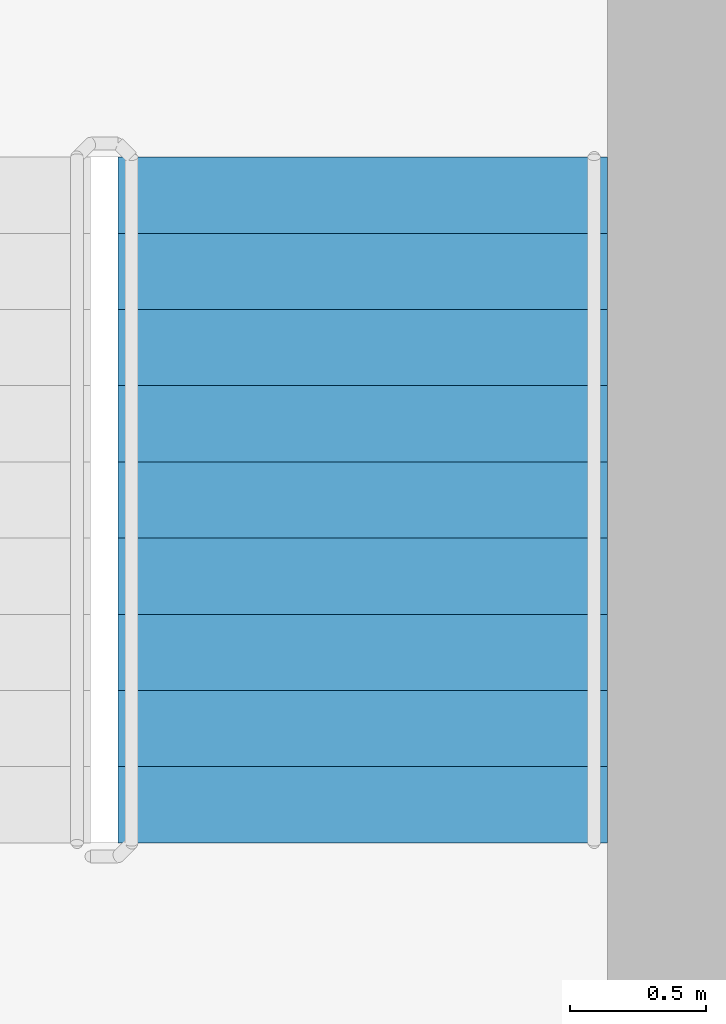
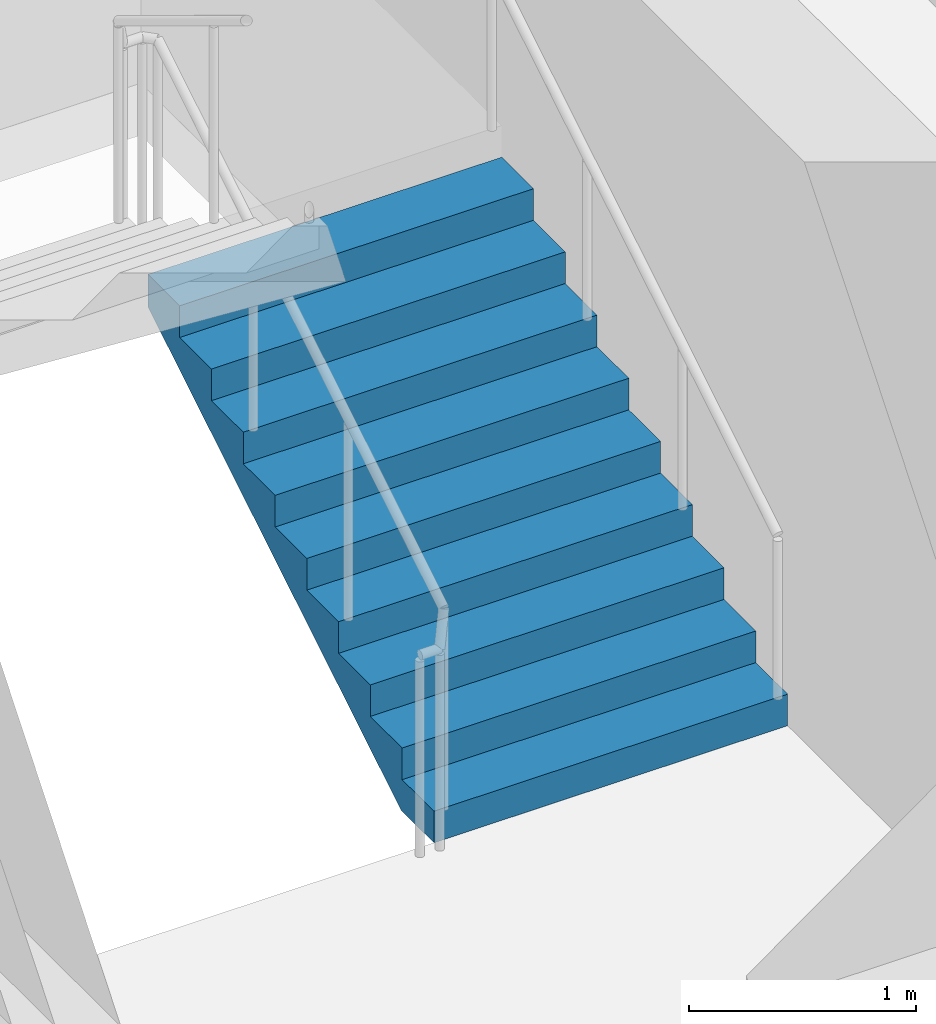
# One storey, part 11 of 18: 1 stair flight, 1 element without a shape of its own.
"""IFC4 building model written with IfcOpenShell, lengths in metres."""

from ifc_helpers import new_model, si_unit, direction, frame, origin, place, context, subcontext, project, spatial, triangles, source, transform, mapped, material, type_object, element, aggregate, save


model = new_model("IFC4")

# Units and contexts
model_context = context("Model", 3, precision=1e-05, world=origin(), true_north=direction((0.0, 1.0)))
body_context = subcontext(model_context, "Body", "Model", "MODEL_VIEW")
ifc_project = project(units=[si_unit("LENGTHUNIT", "METRE"), si_unit("AREAUNIT", "SQUARE_METRE"), si_unit("VOLUMEUNIT", "CUBIC_METRE"), si_unit("PLANEANGLEUNIT", "RADIAN"), si_unit("MASSUNIT", "GRAM", prefix="KILO")], contexts=[model_context])

# Site, building, storey
site_placement = place(None, origin())
site = spatial("IfcSite", under=ifc_project, at=site_placement, CompositionType="ELEMENT")
building_placement = place(site_placement, origin())
building = spatial("IfcBuilding", under=site, at=building_placement, Name="Kilnfold Tower and Market Hall", CompositionType="ELEMENT")
storey_placement = place(building_placement, frame((0.0, 0.0, 270.39990234375)))
storey = spatial("IfcBuildingStorey", under=building, at=storey_placement, Name="L66", CompositionType="ELEMENT", Elevation=270.39990234375)

# Stair, stair flight
ifc_material_1 = material(Name="Concrete C40/50", Category="concrete")
stair_type = type_object("IfcStairType", Name="CORE STAIR 1800", PredefinedType="HALF_TURN_STAIR", material=ifc_material_1)
stair_placement = place(storey_placement, origin())
stair = element("IfcStair", 1, at=stair_placement, inside=storey, type_object=stair_type, Name="L66 ST2", PredefinedType="HALF_TURN_STAIR")
ifc_material_2 = material(Name="Concrete C40/50", Category="concrete")
stair_flight_type = type_object("IfcStairFlightType", Name="CORE STAIR FLIGHT 1800", PredefinedType="STRAIGHT", material=ifc_material_2)
shared_shape = source(origin(), body_context, "Body", "Tessellation", [
    triangles([(0.0, 0.89990234375, 0.0), (0.0, 0.78759765625, 0.0), (0.0, 0.675048828125, 0.0), (0.0, 0.5625, 0.0), (0.0, 0.449951171875, 0.0), (0.0, 0.33740234375, 0.0), (0.0, 0.22509765625, 0.0), (0.0, 0.112548828125, 0.0), (0.0, 0.0, 0.0), (0.0, -0.112548828125, 0.0), (0.0, -0.22509765625, 0.0), (0.0, -0.33740234375, 0.0), (0.0, -0.449951171875, 0.0), (0.0, -0.5625, 0.0), (0.0, -0.675048828125, 0.0), (0.0, -0.78759765625, 0.0), (0.0, -0.89990234375, 0.0), (0.0, 0.89990234375, 0.169921875), (0.0, 0.78759765625, 0.169921875), (0.0, 0.675048828125, 0.169921875), (0.0, 0.5625, 0.169921875), (0.0, 0.449951171875, 0.169921875), (0.0, 0.33740234375, 0.169921875), (0.0, 0.22509765625, 0.169921875), (0.0, 0.112548828125, 0.169921875), (0.0, 0.0, 0.169921875), (0.0, -0.112548828125, 0.169921875), (0.0, -0.22509765625, 0.169921875), (0.0, -0.33740234375, 0.169921875), (0.0, -0.449951171875, 0.169921875), (0.0, -0.5625, 0.169921875), (0.0, -0.675048828125, 0.169921875), (0.0, -0.78759765625, 0.169921875), (0.0, -0.89990234375, 0.169921875), (0.280029296875, 0.89990234375, 0.169921875), (0.280029296875, 0.78759765625, 0.169921875), (0.280029296875, 0.675048828125, 0.169921875), (0.280029296875, 0.5625, 0.169921875), (0.280029296875, 0.449951171875, 0.169921875), (0.280029296875, 0.33740234375, 0.169921875), (0.280029296875, 0.22509765625, 0.169921875), (0.280029296875, 0.112548828125, 0.169921875), (0.280029296875, 0.0, 0.169921875), (0.280029296875, -0.112548828125, 0.169921875), (0.280029296875, -0.22509765625, 0.169921875), (0.280029296875, -0.33740234375, 0.169921875), (0.280029296875, -0.449951171875, 0.169921875), (0.280029296875, -0.5625, 0.169921875), (0.280029296875, -0.675048828125, 0.169921875), (0.280029296875, -0.78759765625, 0.169921875), (0.280029296875, -0.89990234375, 0.169921875), (0.280029296875, 0.89990234375, 0.340087890625), (0.280029296875, 0.78759765625, 0.340087890625), (0.280029296875, 0.675048828125, 0.340087890625), (0.280029296875, 0.5625, 0.340087890625), (0.280029296875, 0.449951171875, 0.340087890625), (0.280029296875, 0.33740234375, 0.340087890625), (0.280029296875, 0.22509765625, 0.340087890625), (0.280029296875, 0.112548828125, 0.340087890625), (0.280029296875, 0.0, 0.340087890625), (0.280029296875, -0.112548828125, 0.340087890625), (0.280029296875, -0.22509765625, 0.340087890625), (0.280029296875, -0.33740234375, 0.340087890625), (0.280029296875, -0.449951171875, 0.340087890625), (0.280029296875, -0.5625, 0.340087890625), (0.280029296875, -0.675048828125, 0.340087890625), (0.280029296875, -0.78759765625, 0.340087890625), (0.280029296875, -0.89990234375, 0.340087890625), (0.56005859375, 0.89990234375, 0.340087890625), (0.56005859375, 0.78759765625, 0.340087890625), (0.56005859375, 0.675048828125, 0.340087890625), (0.56005859375, 0.5625, 0.340087890625), (0.56005859375, 0.449951171875, 0.340087890625), (0.56005859375, 0.33740234375, 0.340087890625), (0.56005859375, 0.22509765625, 0.340087890625), (0.56005859375, 0.112548828125, 0.340087890625), (0.56005859375, 0.0, 0.340087890625), (0.56005859375, -0.112548828125, 0.340087890625), (0.56005859375, -0.22509765625, 0.340087890625), (0.56005859375, -0.33740234375, 0.340087890625), (0.56005859375, -0.449951171875, 0.340087890625), (0.56005859375, -0.5625, 0.340087890625), (0.56005859375, -0.675048828125, 0.340087890625), (0.56005859375, -0.78759765625, 0.340087890625), (0.56005859375, -0.89990234375, 0.340087890625), (0.56005859375, 0.89990234375, 0.510009765625), (0.56005859375, 0.78759765625, 0.510009765625), (0.56005859375, 0.675048828125, 0.510009765625), (0.56005859375, 0.5625, 0.510009765625), (0.56005859375, 0.449951171875, 0.510009765625), (0.56005859375, 0.33740234375, 0.510009765625), (0.56005859375, 0.22509765625, 0.510009765625), (0.56005859375, 0.112548828125, 0.510009765625), (0.56005859375, 0.0, 0.510009765625), (0.56005859375, -0.112548828125, 0.510009765625), (0.56005859375, -0.22509765625, 0.510009765625), (0.56005859375, -0.33740234375, 0.510009765625), (0.56005859375, -0.449951171875, 0.510009765625), (0.56005859375, -0.5625, 0.510009765625), (0.56005859375, -0.675048828125, 0.510009765625), (0.56005859375, -0.78759765625, 0.510009765625), (0.56005859375, -0.89990234375, 0.510009765625), (0.840087890625, 0.89990234375, 0.510009765625), (0.840087890625, 0.78759765625, 0.510009765625), (0.840087890625, 0.675048828125, 0.510009765625), (0.840087890625, 0.5625, 0.510009765625), (0.840087890625, 0.449951171875, 0.510009765625), (0.840087890625, 0.33740234375, 0.510009765625), (0.840087890625, 0.22509765625, 0.510009765625), (0.840087890625, 0.112548828125, 0.510009765625), (0.840087890625, 0.0, 0.510009765625), (0.840087890625, -0.112548828125, 0.510009765625), (0.840087890625, -0.22509765625, 0.510009765625), (0.840087890625, -0.33740234375, 0.510009765625), (0.840087890625, -0.449951171875, 0.510009765625), (0.840087890625, -0.5625, 0.510009765625), (0.840087890625, -0.675048828125, 0.510009765625), (0.840087890625, -0.78759765625, 0.510009765625), (0.840087890625, -0.89990234375, 0.510009765625), (0.840087890625, 0.89990234375, 0.679931640625), (0.840087890625, 0.78759765625, 0.679931640625), (0.840087890625, 0.675048828125, 0.679931640625), (0.840087890625, 0.5625, 0.679931640625), (0.840087890625, 0.449951171875, 0.679931640625), (0.840087890625, 0.33740234375, 0.679931640625), (0.840087890625, 0.22509765625, 0.679931640625), (0.840087890625, 0.112548828125, 0.679931640625), (0.840087890625, 0.0, 0.679931640625), (0.840087890625, -0.112548828125, 0.679931640625), (0.840087890625, -0.22509765625, 0.679931640625), (0.840087890625, -0.33740234375, 0.679931640625), (0.840087890625, -0.449951171875, 0.679931640625), (0.840087890625, -0.5625, 0.679931640625), (0.840087890625, -0.675048828125, 0.679931640625), (0.840087890625, -0.78759765625, 0.679931640625), (0.840087890625, -0.89990234375, 0.679931640625), (1.1201171875, 0.89990234375, 0.679931640625), (1.1201171875, 0.78759765625, 0.679931640625), (1.1201171875, 0.675048828125, 0.679931640625), (1.1201171875, 0.5625, 0.679931640625), (1.1201171875, 0.449951171875, 0.679931640625), (1.1201171875, 0.33740234375, 0.679931640625), (1.1201171875, 0.22509765625, 0.679931640625), (1.1201171875, 0.112548828125, 0.679931640625), (1.1201171875, 0.0, 0.679931640625), (1.1201171875, -0.112548828125, 0.679931640625), (1.1201171875, -0.22509765625, 0.679931640625), (1.1201171875, -0.33740234375, 0.679931640625), (1.1201171875, -0.449951171875, 0.679931640625), (1.1201171875, -0.5625, 0.679931640625), (1.1201171875, -0.675048828125, 0.679931640625), (1.1201171875, -0.78759765625, 0.679931640625), (1.1201171875, -0.89990234375, 0.679931640625), (1.1201171875, 0.89990234375, 0.85009765625), (1.1201171875, 0.78759765625, 0.85009765625), (1.1201171875, 0.675048828125, 0.85009765625), (1.1201171875, 0.5625, 0.85009765625), (1.1201171875, 0.449951171875, 0.85009765625), (1.1201171875, 0.33740234375, 0.85009765625), (1.1201171875, 0.22509765625, 0.85009765625), (1.1201171875, 0.112548828125, 0.85009765625), (1.1201171875, 0.0, 0.85009765625), (1.1201171875, -0.112548828125, 0.85009765625), (1.1201171875, -0.22509765625, 0.85009765625), (1.1201171875, -0.33740234375, 0.85009765625), (1.1201171875, -0.449951171875, 0.85009765625), (1.1201171875, -0.5625, 0.85009765625), (1.1201171875, -0.675048828125, 0.85009765625), (1.1201171875, -0.78759765625, 0.85009765625), (1.1201171875, -0.89990234375, 0.85009765625), (1.39990234375, 0.89990234375, 0.85009765625), (1.39990234375, 0.78759765625, 0.85009765625), (1.39990234375, 0.675048828125, 0.85009765625), (1.39990234375, 0.5625, 0.85009765625), (1.39990234375, 0.449951171875, 0.85009765625), (1.39990234375, 0.33740234375, 0.85009765625), (1.39990234375, 0.22509765625, 0.85009765625), (1.39990234375, 0.112548828125, 0.85009765625), (1.39990234375, 0.0, 0.85009765625), (1.39990234375, -0.112548828125, 0.85009765625), (1.39990234375, -0.22509765625, 0.85009765625), (1.39990234375, -0.33740234375, 0.85009765625), (1.39990234375, -0.449951171875, 0.85009765625), (1.39990234375, -0.5625, 0.85009765625), (1.39990234375, -0.675048828125, 0.85009765625), (1.39990234375, -0.78759765625, 0.85009765625), (1.39990234375, -0.89990234375, 0.85009765625), (1.39990234375, 0.89990234375, 1.02001953125), (1.39990234375, 0.78759765625, 1.02001953125), (1.39990234375, 0.675048828125, 1.02001953125), (1.39990234375, 0.5625, 1.02001953125), (1.39990234375, 0.449951171875, 1.02001953125), (1.39990234375, 0.33740234375, 1.02001953125), (1.39990234375, 0.22509765625, 1.02001953125), (1.39990234375, 0.112548828125, 1.02001953125), (1.39990234375, 0.0, 1.02001953125), (1.39990234375, -0.112548828125, 1.02001953125), (1.39990234375, -0.22509765625, 1.02001953125), (1.39990234375, -0.33740234375, 1.02001953125), (1.39990234375, -0.449951171875, 1.02001953125), (1.39990234375, -0.5625, 1.02001953125), (1.39990234375, -0.675048828125, 1.02001953125), (1.39990234375, -0.78759765625, 1.02001953125), (1.39990234375, -0.89990234375, 1.02001953125), (1.679931640625, 0.89990234375, 1.02001953125), (1.679931640625, 0.78759765625, 1.02001953125), (1.679931640625, 0.675048828125, 1.02001953125), (1.679931640625, 0.5625, 1.02001953125), (1.679931640625, 0.449951171875, 1.02001953125), (1.679931640625, 0.33740234375, 1.02001953125), (1.679931640625, 0.22509765625, 1.02001953125), (1.679931640625, 0.112548828125, 1.02001953125), (1.679931640625, 0.0, 1.02001953125), (1.679931640625, -0.112548828125, 1.02001953125), (1.679931640625, -0.22509765625, 1.02001953125), (1.679931640625, -0.33740234375, 1.02001953125), (1.679931640625, -0.449951171875, 1.02001953125), (1.679931640625, -0.5625, 1.02001953125), (1.679931640625, -0.675048828125, 1.02001953125), (1.679931640625, -0.78759765625, 1.02001953125), (1.679931640625, -0.89990234375, 1.02001953125), (1.679931640625, 0.89990234375, 1.18994140625), (1.679931640625, 0.78759765625, 1.18994140625), (1.679931640625, 0.675048828125, 1.18994140625), (1.679931640625, 0.5625, 1.18994140625), (1.679931640625, 0.449951171875, 1.18994140625), (1.679931640625, 0.33740234375, 1.18994140625), (1.679931640625, 0.22509765625, 1.18994140625), (1.679931640625, 0.112548828125, 1.18994140625), (1.679931640625, 0.0, 1.18994140625), (1.679931640625, -0.112548828125, 1.18994140625), (1.679931640625, -0.22509765625, 1.18994140625), (1.679931640625, -0.33740234375, 1.18994140625), (1.679931640625, -0.449951171875, 1.18994140625), (1.679931640625, -0.5625, 1.18994140625), (1.679931640625, -0.675048828125, 1.18994140625), (1.679931640625, -0.78759765625, 1.18994140625), (1.679931640625, -0.89990234375, 1.18994140625), (1.9599609375, 0.89990234375, 1.18994140625), (1.9599609375, 0.78759765625, 1.18994140625), (1.9599609375, 0.675048828125, 1.18994140625), (1.9599609375, 0.5625, 1.18994140625), (1.9599609375, 0.449951171875, 1.18994140625), (1.9599609375, 0.33740234375, 1.18994140625), (1.9599609375, 0.22509765625, 1.18994140625), (1.9599609375, 0.112548828125, 1.18994140625), (1.9599609375, 0.0, 1.18994140625), (1.9599609375, -0.112548828125, 1.18994140625), (1.9599609375, -0.22509765625, 1.18994140625), (1.9599609375, -0.33740234375, 1.18994140625), (1.9599609375, -0.449951171875, 1.18994140625), (1.9599609375, -0.5625, 1.18994140625), (1.9599609375, -0.675048828125, 1.18994140625), (1.9599609375, -0.78759765625, 1.18994140625), (1.9599609375, -0.89990234375, 1.18994140625), (1.9599609375, 0.89990234375, 1.360107421875), (1.9599609375, 0.78759765625, 1.360107421875), (1.9599609375, 0.675048828125, 1.360107421875), (1.9599609375, 0.5625, 1.360107421875), (1.9599609375, 0.449951171875, 1.360107421875), (1.9599609375, 0.33740234375, 1.360107421875), (1.9599609375, 0.22509765625, 1.360107421875), (1.9599609375, 0.112548828125, 1.360107421875), (1.9599609375, 0.0, 1.360107421875), (1.9599609375, -0.112548828125, 1.360107421875), (1.9599609375, -0.22509765625, 1.360107421875), (1.9599609375, -0.33740234375, 1.360107421875), (1.9599609375, -0.449951171875, 1.360107421875), (1.9599609375, -0.5625, 1.360107421875), (1.9599609375, -0.675048828125, 1.360107421875), (1.9599609375, -0.78759765625, 1.360107421875), (1.9599609375, -0.89990234375, 1.360107421875), (2.239990234375, 0.89990234375, 1.360107421875), (2.239990234375, 0.78759765625, 1.360107421875), (2.239990234375, 0.675048828125, 1.360107421875), (2.239990234375, 0.5625, 1.360107421875), (2.239990234375, 0.449951171875, 1.360107421875), (2.239990234375, 0.33740234375, 1.360107421875), (2.239990234375, 0.22509765625, 1.360107421875), (2.239990234375, 0.112548828125, 1.360107421875), (2.239990234375, 0.0, 1.360107421875), (2.239990234375, -0.112548828125, 1.360107421875), (2.239990234375, -0.22509765625, 1.360107421875), (2.239990234375, -0.33740234375, 1.360107421875), (2.239990234375, -0.449951171875, 1.360107421875), (2.239990234375, -0.5625, 1.360107421875), (2.239990234375, -0.675048828125, 1.360107421875), (2.239990234375, -0.78759765625, 1.360107421875), (2.239990234375, -0.89990234375, 1.360107421875), (2.239990234375, 0.89990234375, 1.530029296875), (2.239990234375, 0.78759765625, 1.530029296875), (2.239990234375, 0.675048828125, 1.530029296875), (2.239990234375, 0.5625, 1.530029296875), (2.239990234375, 0.449951171875, 1.530029296875), (2.239990234375, 0.33740234375, 1.530029296875), (2.239990234375, 0.22509765625, 1.530029296875), (2.239990234375, 0.112548828125, 1.530029296875), (2.239990234375, 0.0, 1.530029296875), (2.239990234375, -0.112548828125, 1.530029296875), (2.239990234375, -0.22509765625, 1.530029296875), (2.239990234375, -0.33740234375, 1.530029296875), (2.239990234375, -0.449951171875, 1.530029296875), (2.239990234375, -0.5625, 1.530029296875), (2.239990234375, -0.675048828125, 1.530029296875), (2.239990234375, -0.78759765625, 1.530029296875), (2.239990234375, -0.89990234375, 1.530029296875), (2.52001953125, 0.89990234375, 1.530029296875), (2.52001953125, 0.78759765625, 1.530029296875), (2.52001953125, 0.675048828125, 1.530029296875), (2.52001953125, 0.5625, 1.530029296875), (2.52001953125, 0.449951171875, 1.530029296875), (2.52001953125, 0.33740234375, 1.530029296875), (2.52001953125, 0.22509765625, 1.530029296875), (2.52001953125, 0.112548828125, 1.530029296875), (2.52001953125, 0.0, 1.530029296875), (2.52001953125, -0.112548828125, 1.530029296875), (2.52001953125, -0.22509765625, 1.530029296875), (2.52001953125, -0.33740234375, 1.530029296875), (2.52001953125, -0.449951171875, 1.530029296875), (2.52001953125, -0.5625, 1.530029296875), (2.52001953125, -0.675048828125, 1.530029296875), (2.52001953125, -0.78759765625, 1.530029296875), (2.52001953125, -0.89990234375, 1.530029296875), (2.52001953125, 0.89990234375, 1.354736328125), (2.52001953125, 0.78759765625, 1.354736328125), (2.52001953125, 0.675048828125, 1.354736328125), (2.52001953125, 0.5625, 1.354736328125), (2.52001953125, 0.449951171875, 1.354736328125), (2.52001953125, 0.33740234375, 1.354736328125), (2.52001953125, 0.22509765625, 1.354736328125), (2.52001953125, 0.112548828125, 1.354736328125), (2.52001953125, 0.0, 1.354736328125), (2.52001953125, -0.112548828125, 1.354736328125), (2.52001953125, -0.22509765625, 1.354736328125), (2.52001953125, -0.33740234375, 1.354736328125), (2.52001953125, -0.449951171875, 1.354736328125), (2.52001953125, -0.5625, 1.354736328125), (2.52001953125, -0.675048828125, 1.354736328125), (2.52001953125, -0.78759765625, 1.354736328125), (2.52001953125, -0.89990234375, 1.354736328125), (0.288818359375, 0.89990234375, 0.0), (0.288818359375, 0.78759765625, 0.0), (0.288818359375, 0.675048828125, 0.0), (0.288818359375, 0.5625, 0.0), (0.288818359375, 0.449951171875, 0.0), (0.288818359375, 0.33740234375, 0.0), (0.288818359375, 0.22509765625, 0.0), (0.288818359375, 0.112548828125, 0.0), (0.288818359375, 0.0, 0.0), (0.288818359375, -0.112548828125, 0.0), (0.288818359375, -0.22509765625, 0.0), (0.288818359375, -0.33740234375, 0.0), (0.288818359375, -0.449951171875, 0.0), (0.288818359375, -0.5625, 0.0), (0.288818359375, -0.675048828125, 0.0), (0.288818359375, -0.78759765625, 0.0), (0.288818359375, -0.89990234375, 0.0)], [[1, 324, 341], [17, 357, 340], [324, 290, 307], [340, 323, 306], [324, 273, 290], [340, 306, 289], [324, 256, 273], [340, 289, 272], [324, 239, 256], [340, 272, 255], [239, 205, 222], [255, 238, 221], [324, 205, 239], [340, 255, 221], [205, 171, 188], [221, 204, 187], [324, 171, 205], [340, 221, 187], [171, 137, 154], [187, 170, 153], [324, 137, 171], [340, 187, 153], [137, 103, 120], [153, 136, 119], [324, 103, 137], [340, 153, 119], [103, 69, 86], [119, 102, 85], [324, 69, 103], [340, 119, 85], [69, 35, 52], [85, 68, 51], [324, 35, 69], [340, 85, 51], [1, 35, 324], [17, 340, 51], [35, 1, 18], [51, 34, 17], [1, 19, 18], [1, 2, 19], [2, 20, 19], [2, 3, 20], [3, 21, 20], [3, 4, 21], [4, 22, 21], [4, 5, 22], [5, 23, 22], [5, 6, 23], [6, 24, 23], [6, 7, 24], [7, 25, 24], [7, 8, 25], [8, 26, 25], [8, 9, 26], [9, 27, 26], [9, 10, 27], [10, 28, 27], [10, 11, 28], [11, 29, 28], [11, 12, 29], [12, 30, 29], [12, 13, 30], [13, 31, 30], [13, 14, 31], [14, 32, 31], [14, 15, 32], [15, 33, 32], [15, 16, 33], [16, 34, 33], [16, 17, 34], [18, 36, 35], [18, 19, 36], [19, 37, 36], [19, 20, 37], [20, 38, 37], [20, 21, 38], [21, 39, 38], [21, 22, 39], [22, 40, 39], [22, 23, 40], [23, 41, 40], [23, 24, 41], [24, 42, 41], [24, 25, 42], [25, 43, 42], [25, 26, 43], [26, 44, 43], [26, 27, 44], [27, 45, 44], [27, 28, 45], [28, 46, 45], [28, 29, 46], [29, 47, 46], [29, 30, 47], [30, 48, 47], [30, 31, 48], [31, 49, 48], [31, 32, 49], [32, 50, 49], [32, 33, 50], [33, 51, 50], [33, 34, 51], [35, 53, 52], [35, 36, 53], [36, 54, 53], [36, 37, 54], [37, 55, 54], [37, 38, 55], [38, 56, 55], [38, 39, 56], [39, 57, 56], [39, 40, 57], [40, 58, 57], [40, 41, 58], [41, 59, 58], [41, 42, 59], [42, 60, 59], [42, 43, 60], [43, 61, 60], [43, 44, 61], [44, 62, 61], [44, 45, 62], [45, 63, 62], [45, 46, 63], [46, 64, 63], [46, 47, 64], [47, 65, 64], [47, 48, 65], [48, 66, 65], [48, 49, 66], [49, 67, 66], [49, 50, 67], [50, 68, 67], [50, 51, 68], [52, 70, 69], [52, 53, 70], [53, 71, 70], [53, 54, 71], [54, 72, 71], [54, 55, 72], [55, 73, 72], [55, 56, 73], [56, 74, 73], [56, 57, 74], [57, 75, 74], [57, 58, 75], [58, 76, 75], [58, 59, 76], [59, 77, 76], [59, 60, 77], [60, 78, 77], [60, 61, 78], [61, 79, 78], [61, 62, 79], [62, 80, 79], [62, 63, 80], [63, 81, 80], [63, 64, 81], [64, 82, 81], [64, 65, 82], [65, 83, 82], [65, 66, 83], [66, 84, 83], [66, 67, 84], [67, 85, 84], [67, 68, 85], [69, 87, 86], [69, 70, 87], [70, 88, 87], [70, 71, 88], [71, 89, 88], [71, 72, 89], [72, 90, 89], [72, 73, 90], [73, 91, 90], [73, 74, 91], [74, 92, 91], [74, 75, 92], [75, 93, 92], [75, 76, 93], [76, 94, 93], [76, 77, 94], [77, 95, 94], [77, 78, 95], [78, 96, 95], [78, 79, 96], [79, 97, 96], [79, 80, 97], [80, 98, 97], [80, 81, 98], [81, 99, 98], [81, 82, 99], [82, 100, 99], [82, 83, 100], [83, 101, 100], [83, 84, 101], [84, 102, 101], [84, 85, 102], [86, 104, 103], [86, 87, 104], [87, 105, 104], [87, 88, 105], [88, 106, 105], [88, 89, 106], [89, 107, 106], [89, 90, 107], [90, 108, 107], [90, 91, 108], [91, 109, 108], [91, 92, 109], [92, 110, 109], [92, 93, 110], [93, 111, 110], [93, 94, 111], [94, 112, 111], [94, 95, 112], [95, 113, 112], [95, 96, 113], [96, 114, 113], [96, 97, 114], [97, 115, 114], [97, 98, 115], [98, 116, 115], [98, 99, 116], [99, 117, 116], [99, 100, 117], [100, 118, 117], [100, 101, 118], [101, 119, 118], [101, 102, 119], [103, 121, 120], [103, 104, 121], [104, 122, 121], [104, 105, 122], [105, 123, 122], [105, 106, 123], [106, 124, 123], [106, 107, 124], [107, 125, 124], [107, 108, 125], [108, 126, 125], [108, 109, 126], [109, 127, 126], [109, 110, 127], [110, 128, 127], [110, 111, 128], [111, 129, 128], [111, 112, 129], [112, 130, 129], [112, 113, 130], [113, 131, 130], [113, 114, 131], [114, 132, 131], [114, 115, 132], [115, 133, 132], [115, 116, 133], [116, 134, 133], [116, 117, 134], [117, 135, 134], [117, 118, 135], [118, 136, 135], [118, 119, 136], [120, 138, 137], [120, 121, 138], [121, 139, 138], [121, 122, 139], [122, 140, 139], [122, 123, 140], [123, 141, 140], [123, 124, 141], [124, 142, 141], [124, 125, 142], [125, 143, 142], [125, 126, 143], [126, 144, 143], [126, 127, 144], [127, 145, 144], [127, 128, 145], [128, 146, 145], [128, 129, 146], [129, 147, 146], [129, 130, 147], [130, 148, 147], [130, 131, 148], [131, 149, 148], [131, 132, 149], [132, 150, 149], [132, 133, 150], [133, 151, 150], [133, 134, 151], [134, 152, 151], [134, 135, 152], [135, 153, 152], [135, 136, 153], [137, 155, 154], [137, 138, 155], [138, 156, 155], [138, 139, 156], [139, 157, 156], [139, 140, 157], [140, 158, 157], [140, 141, 158], [141, 159, 158], [141, 142, 159], [142, 160, 159], [142, 143, 160], [143, 161, 160], [143, 144, 161], [144, 162, 161], [144, 145, 162], [145, 163, 162], [145, 146, 163], [146, 164, 163], [146, 147, 164], [147, 165, 164], [147, 148, 165], [148, 166, 165], [148, 149, 166], [149, 167, 166], [149, 150, 167], [150, 168, 167], [150, 151, 168], [151, 169, 168], [151, 152, 169], [152, 170, 169], [152, 153, 170], [154, 172, 171], [154, 155, 172], [155, 173, 172], [155, 156, 173], [156, 174, 173], [156, 157, 174], [157, 175, 174], [157, 158, 175], [158, 176, 175], [158, 159, 176], [159, 177, 176], [159, 160, 177], [160, 178, 177], [160, 161, 178], [161, 179, 178], [161, 162, 179], [162, 180, 179], [162, 163, 180], [163, 181, 180], [163, 164, 181], [164, 182, 181], [164, 165, 182], [165, 183, 182], [165, 166, 183], [166, 184, 183], [166, 167, 184], [167, 185, 184], [167, 168, 185], [168, 186, 185], [168, 169, 186], [169, 187, 186], [169, 170, 187], [171, 189, 188], [171, 172, 189], [172, 190, 189], [172, 173, 190], [173, 191, 190], [173, 174, 191], [174, 192, 191], [174, 175, 192], [175, 193, 192], [175, 176, 193], [176, 194, 193], [176, 177, 194], [177, 195, 194], [177, 178, 195], [178, 196, 195], [178, 179, 196], [179, 197, 196], [179, 180, 197], [180, 198, 197], [180, 181, 198], [181, 199, 198], [181, 182, 199], [182, 200, 199], [182, 183, 200], [183, 201, 200], [183, 184, 201], [184, 202, 201], [184, 185, 202], [185, 203, 202], [185, 186, 203], [186, 204, 203], [186, 187, 204], [188, 206, 205], [188, 189, 206], [189, 207, 206], [189, 190, 207], [190, 208, 207], [190, 191, 208], [191, 209, 208], [191, 192, 209], [192, 210, 209], [192, 193, 210], [193, 211, 210], [193, 194, 211], [194, 212, 211], [194, 195, 212], [195, 213, 212], [195, 196, 213], [196, 214, 213], [196, 197, 214], [197, 215, 214], [197, 198, 215], [198, 216, 215], [198, 199, 216], [199, 217, 216], [199, 200, 217], [200, 218, 217], [200, 201, 218], [201, 219, 218], [201, 202, 219], [202, 220, 219], [202, 203, 220], [203, 221, 220], [203, 204, 221], [205, 223, 222], [205, 206, 223], [206, 224, 223], [206, 207, 224], [207, 225, 224], [207, 208, 225], [208, 226, 225], [208, 209, 226], [209, 227, 226], [209, 210, 227], [210, 228, 227], [210, 211, 228], [211, 229, 228], [211, 212, 229], [212, 230, 229], [212, 213, 230], [213, 231, 230], [213, 214, 231], [214, 232, 231], [214, 215, 232], [215, 233, 232], [215, 216, 233], [216, 234, 233], [216, 217, 234], [217, 235, 234], [217, 218, 235], [218, 236, 235], [218, 219, 236], [219, 237, 236], [219, 220, 237], [220, 238, 237], [220, 221, 238], [222, 240, 239], [222, 223, 240], [223, 241, 240], [223, 224, 241], [224, 242, 241], [224, 225, 242], [225, 243, 242], [225, 226, 243], [226, 244, 243], [226, 227, 244], [227, 245, 244], [227, 228, 245], [228, 246, 245], [228, 229, 246], [229, 247, 246], [229, 230, 247], [230, 248, 247], [230, 231, 248], [231, 249, 248], [231, 232, 249], [232, 250, 249], [232, 233, 250], [233, 251, 250], [233, 234, 251], [234, 252, 251], [234, 235, 252], [235, 253, 252], [235, 236, 253], [236, 254, 253], [236, 237, 254], [237, 255, 254], [237, 238, 255], [239, 257, 256], [239, 240, 257], [240, 258, 257], [240, 241, 258], [241, 259, 258], [241, 242, 259], [242, 260, 259], [242, 243, 260], [243, 261, 260], [243, 244, 261], [244, 262, 261], [244, 245, 262], [245, 263, 262], [245, 246, 263], [246, 264, 263], [246, 247, 264], [247, 265, 264], [247, 248, 265], [248, 266, 265], [248, 249, 266], [249, 267, 266], [249, 250, 267], [250, 268, 267], [250, 251, 268], [251, 269, 268], [251, 252, 269], [252, 270, 269], [252, 253, 270], [253, 271, 270], [253, 254, 271], [254, 272, 271], [254, 255, 272], [256, 274, 273], [256, 257, 274], [257, 275, 274], [257, 258, 275], [258, 276, 275], [258, 259, 276], [259, 277, 276], [259, 260, 277], [260, 278, 277], [260, 261, 278], [261, 279, 278], [261, 262, 279], [262, 280, 279], [262, 263, 280], [263, 281, 280], [263, 264, 281], [264, 282, 281], [264, 265, 282], [265, 283, 282], [265, 266, 283], [266, 284, 283], [266, 267, 284], [267, 285, 284], [267, 268, 285], [268, 286, 285], [268, 269, 286], [269, 287, 286], [269, 270, 287], [270, 288, 287], [270, 271, 288], [271, 289, 288], [271, 272, 289], [273, 291, 290], [273, 274, 291], [274, 292, 291], [274, 275, 292], [275, 293, 292], [275, 276, 293], [276, 294, 293], [276, 277, 294], [277, 295, 294], [277, 278, 295], [278, 296, 295], [278, 279, 296], [279, 297, 296], [279, 280, 297], [280, 298, 297], [280, 281, 298], [281, 299, 298], [281, 282, 299], [282, 300, 299], [282, 283, 300], [283, 301, 300], [283, 284, 301], [284, 302, 301], [284, 285, 302], [285, 303, 302], [285, 286, 303], [286, 304, 303], [286, 287, 304], [287, 305, 304], [287, 288, 305], [288, 306, 305], [288, 289, 306], [290, 308, 307], [290, 291, 308], [291, 309, 308], [291, 292, 309], [292, 310, 309], [292, 293, 310], [293, 311, 310], [293, 294, 311], [294, 312, 311], [294, 295, 312], [295, 313, 312], [295, 296, 313], [296, 314, 313], [296, 297, 314], [297, 315, 314], [297, 298, 315], [298, 316, 315], [298, 299, 316], [299, 317, 316], [299, 300, 317], [300, 318, 317], [300, 301, 318], [301, 319, 318], [301, 302, 319], [302, 320, 319], [302, 303, 320], [303, 321, 320], [303, 304, 321], [304, 322, 321], [304, 305, 322], [305, 323, 322], [305, 306, 323], [307, 325, 324], [307, 308, 325], [308, 326, 325], [308, 309, 326], [309, 327, 326], [309, 310, 327], [310, 328, 327], [310, 311, 328], [311, 329, 328], [311, 312, 329], [312, 330, 329], [312, 313, 330], [313, 331, 330], [313, 314, 331], [314, 332, 331], [314, 315, 332], [315, 333, 332], [315, 316, 333], [316, 334, 333], [316, 317, 334], [317, 335, 334], [317, 318, 335], [318, 336, 335], [318, 319, 336], [319, 337, 336], [319, 320, 337], [320, 338, 337], [320, 321, 338], [321, 339, 338], [321, 322, 339], [322, 340, 339], [322, 323, 340], [324, 342, 341], [324, 325, 342], [325, 343, 342], [325, 326, 343], [326, 344, 343], [326, 327, 344], [327, 345, 344], [327, 328, 345], [328, 346, 345], [328, 329, 346], [329, 347, 346], [329, 330, 347], [330, 348, 347], [330, 331, 348], [331, 349, 348], [331, 332, 349], [332, 350, 349], [332, 333, 350], [333, 351, 350], [333, 334, 351], [334, 352, 351], [334, 335, 352], [335, 353, 352], [335, 336, 353], [336, 354, 353], [336, 337, 354], [337, 355, 354], [337, 338, 355], [338, 356, 355], [338, 339, 356], [339, 357, 356], [339, 340, 357], [341, 2, 1], [341, 342, 2], [342, 3, 2], [342, 343, 3], [343, 4, 3], [343, 344, 4], [344, 5, 4], [344, 345, 5], [345, 6, 5], [345, 346, 6], [346, 7, 6], [346, 347, 7], [347, 8, 7], [347, 348, 8], [348, 9, 8], [348, 349, 9], [349, 10, 9], [349, 350, 10], [350, 11, 10], [350, 351, 11], [351, 12, 11], [351, 352, 12], [352, 13, 12], [352, 353, 13], [353, 14, 13], [353, 354, 14], [354, 15, 14], [354, 355, 15], [355, 16, 15], [355, 356, 16], [356, 17, 16], [356, 357, 17]], closed=True),
])
stair_flight_placement = place(storey_placement, frame((16.199951171875, 10.800048828125, 0.0), z_axis=(0.0, 0.0, 1.0), x_axis=(0.0, 1.0, 0.0)))
stair_flight = element("IfcStairFlight", 2, at=stair_flight_placement, type_object=stair_flight_type, Name="ST2 flight 1", NumberOfRisers=10, NumberOfTreads=9, PredefinedType="STRAIGHT", RiserHeight=0.17, TreadLength=0.28, context=body_context, shape_type="MappedRepresentation", body=[
    mapped(shared_shape, transform((0.0, 0.0, 0.0))),
])
aggregate(stair, [stair_flight])

save(model, "model.ifc")
